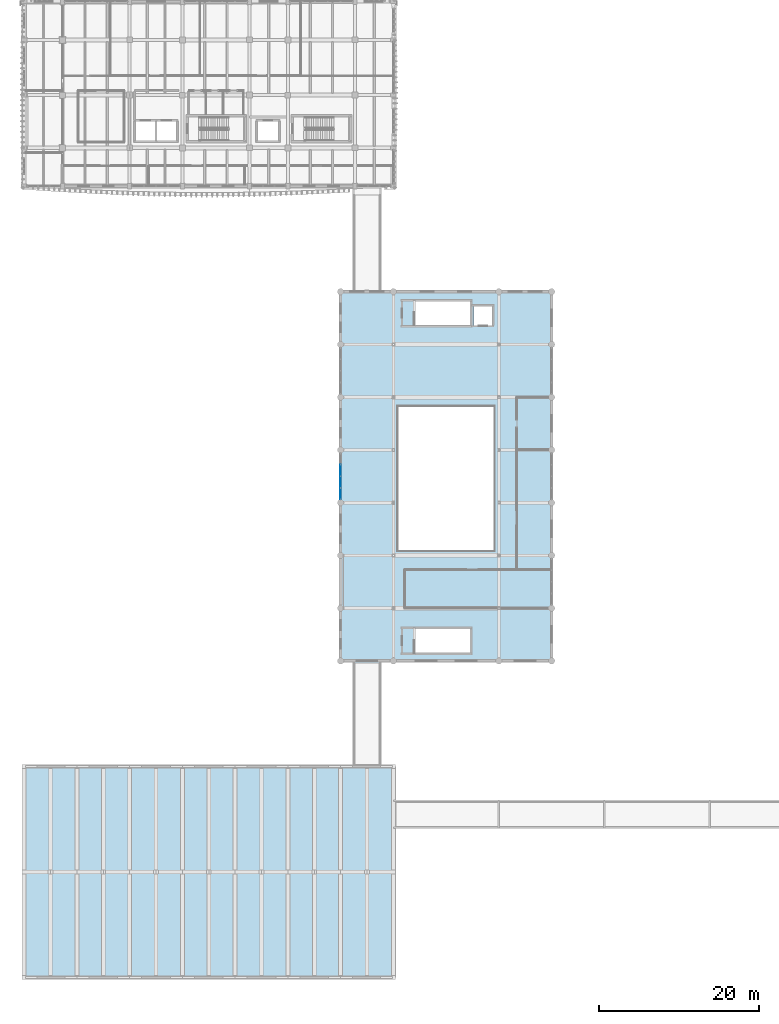
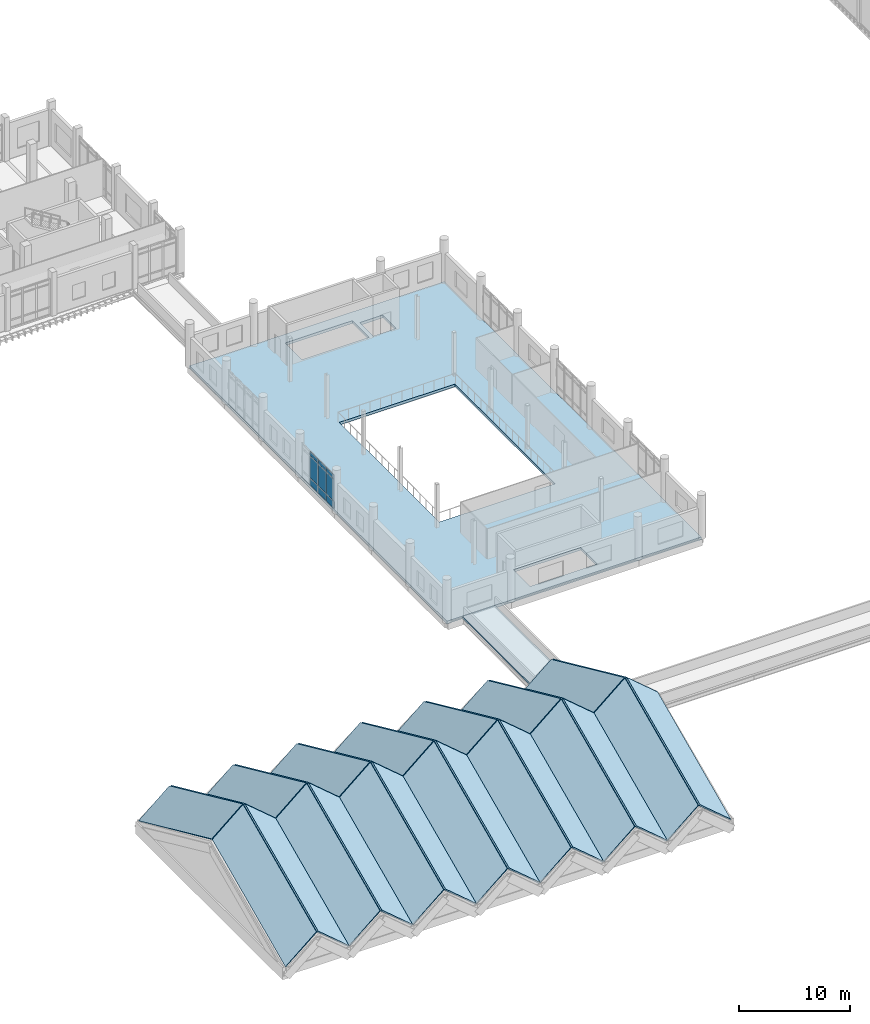
# One storey, part 33 of 76: 30 slabs, 9 plates, 1 element without a shape of its own.
"""IFC4 building model written with IfcOpenShell, lengths in metres."""

import ifcopenshell
import ifcopenshell.guid

model = None  # the IFC model being written
_history = None  # IfcOwnerHistory: only IFC2X3 demands one
_inside = {}  # id of a spatial element -> (the spatial element, [elements in it])
_under = {}  # id of a project, library or spatial element -> (it, [spatial elements below it])
_declared = {}  # id of a project -> (the project, [libraries it declares])
_typed = {}  # id of a type object -> (the type object, [elements of that type])
_made_of = {}  # id of a material, layer set ... -> (it, [elements and type objects made of it])


def new_model(schema):
    """Start an empty IFC model of exactly this schema.

    Asked for "IFC4X3", IfcOpenShell would pick the latest addendum, in which some entities
    have other attributes; the version numbers below select the first issue.
    IFC2X3 requires an IfcOwnerHistory on every rooted entity: one is made here for all.
    """
    global model, _history
    if schema == "IFC4X3":
        model = ifcopenshell.file(schema_version=(4, 3, 0, 0))
    else:
        model = ifcopenshell.file(schema=schema)
    _inside.clear()
    _under.clear()
    _declared.clear()
    _typed.clear()
    _made_of.clear()
    _history = None
    if model.schema == "IFC2X3":
        org = make("IfcOrganization", Name="unknown")
        user = make(
            "IfcPersonAndOrganization",
            ThePerson=make("IfcPerson", FamilyName="unknown"),
            TheOrganization=org,
        )
        app = make(
            "IfcApplication",
            ApplicationDeveloper=org,
            Version="unknown",
            ApplicationFullName="unknown",
            ApplicationIdentifier="unknown",
        )
        _history = make(
            "IfcOwnerHistory",
            OwningUser=user,
            OwningApplication=app,
            ChangeAction="ADDED",
            CreationDate=0,
        )
    return model


def make(cls, **values):
    """One entity of the class cls with the attributes given. An attribute that is None is left unset."""
    return model.create_entity(
        cls, **{name: value for name, value in values.items() if value is not None}
    )


def rooted(cls, **values):
    """An entity with a GlobalId (a new one), such as an element, a storey or a relation."""
    return make(cls, GlobalId=ifcopenshell.guid.new(), OwnerHistory=_history, **values)


def si_unit(unit_type, name, prefix=None):
    """IfcSIUnit, for example si_unit("LENGTHUNIT", "METRE", prefix="MILLI")."""
    return make("IfcSIUnit", UnitType=unit_type, Prefix=prefix, Name=name)


def assignment(units):
    """IfcUnitAssignment: the units of a project."""
    return None if units is None else make("IfcUnitAssignment", Units=units)


def point(xyz):
    """IfcCartesianPoint."""
    return None if xyz is None else make("IfcCartesianPoint", Coordinates=xyz)


def direction(xyz):
    """IfcDirection."""
    return None if xyz is None else make("IfcDirection", DirectionRatios=xyz)


def frame(location, z_axis=None, x_axis=None):
    """IfcAxis2Placement3D, a coordinate frame: its origin and axes. An axis left out is left unset."""
    return make(
        "IfcAxis2Placement3D",
        Location=point(location),
        Axis=direction(z_axis),
        RefDirection=direction(x_axis),
    )


def frame_2d(location, x_axis=None):
    """IfcAxis2Placement2D, a coordinate frame in the plane: its origin and x axis."""
    return make(
        "IfcAxis2Placement2D", Location=point(location), RefDirection=direction(x_axis)
    )


def origin():
    """The frame at (0, 0, 0) with its axes left unset."""
    return frame((0.0, 0.0, 0.0))


def origin_2d():
    """The frame at (0, 0) in the plane with its x axis left unset."""
    return frame_2d((0.0, 0.0))


def place(relative_to, where):
    """IfcLocalPlacement: puts the frame where relative to a parent placement (None: the world)."""
    return make(
        "IfcLocalPlacement", PlacementRelTo=relative_to, RelativePlacement=where
    )


def context(
    kind, dimensions, precision=None, world=None, true_north=None, identifier=None
):
    """IfcGeometricRepresentationContext, for example the 3D "Model" context."""
    return make(
        "IfcGeometricRepresentationContext",
        ContextIdentifier=identifier,
        ContextType=kind,
        CoordinateSpaceDimension=dimensions,
        Precision=precision,
        WorldCoordinateSystem=world,
        TrueNorth=true_north,
    )


def subcontext(parent, identifier, kind, view, scale=None):
    """IfcGeometricRepresentationSubContext, for example "Body" below "Model"."""
    return make(
        "IfcGeometricRepresentationSubContext",
        ContextIdentifier=identifier,
        ContextType=kind,
        ParentContext=parent,
        TargetScale=scale,
        TargetView=view,
    )


def project(units=None, contexts=None):
    """IfcProject with its units and contexts."""
    return rooted(
        "IfcProject",
        Name="project",
        RepresentationContexts=contexts,
        UnitsInContext=assignment(units),
    )


def spatial(cls, under=None, at=None, **own):
    """A site, building, storey or space (cls), placed at a placement, below another one or the project."""
    s = rooted(cls, ObjectPlacement=at, **own)
    if under is not None:
        _under.setdefault(under.id(), (under, []))[1].append(s)
    return s


def polyline(points):
    """IfcPolyline through the points."""
    return make("IfcPolyline", Points=[point(p) for p in points])


def profile(cls, at=None, kind="AREA", **sizes):
    """A parametric profile (cls). Its sizes go by their IFC names, for example OverallWidth=200.0."""
    return make(cls, ProfileType=kind, Position=at, **sizes)


def rectangle(**sizes):
    """IfcRectangleProfileDef."""
    return profile("IfcRectangleProfileDef", **sizes)


def outline(outer, holes=None, kind="AREA"):
    """IfcArbitraryClosedProfileDef: a profile drawn as a closed curve; with holes, ...WithVoids."""
    if holes is None:
        return make("IfcArbitraryClosedProfileDef", ProfileType=kind, OuterCurve=outer)
    return make(
        "IfcArbitraryProfileDefWithVoids",
        ProfileType=kind,
        OuterCurve=outer,
        InnerCurves=holes,
    )


def extrude(swept, where, along, depth):
    """IfcExtrudedAreaSolid: the profile swept, set in the frame where, extruded along a direction by depth."""
    return make(
        "IfcExtrudedAreaSolid",
        SweptArea=swept,
        Position=where,
        ExtrudedDirection=direction(along),
        Depth=depth,
    )


def shape(context_of_items, identifier, shape_type, items):
    """IfcShapeRepresentation: the items that make up one representation, for example the "Body"."""
    return make(
        "IfcShapeRepresentation",
        ContextOfItems=context_of_items,
        RepresentationIdentifier=identifier,
        RepresentationType=shape_type,
        Items=items,
    )


def material(Name=None, Category=None):
    """IfcMaterial."""
    return make("IfcMaterial", Name=Name, Category=Category)


def layer(
    of_material, thickness, ventilated=None, Name=None, Category=None, Priority=None
):
    """IfcMaterialLayer: one layer of a wall or slab, of a material (None: an air gap)."""
    return make(
        "IfcMaterialLayer",
        Material=of_material,
        LayerThickness=thickness,
        IsVentilated=ventilated,
        Name=Name,
        Category=Category,
        Priority=Priority,
    )


def layer_set(layers, Name=None):
    """IfcMaterialLayerSet."""
    return make("IfcMaterialLayerSet", MaterialLayers=layers, LayerSetName=Name)


def made_of(thing, what):
    """Note that an element or type object is made of a material, layer set ...; save() writes the relation."""
    if what is not None:
        _made_of.setdefault(what.id(), (what, []))[1].append(thing)
    return thing


def type_object(cls, material=None, **own):
    """A type object (cls), such as IfcWallType, which elements share."""
    return made_of(rooted(cls, **own), material)


def element(
    cls,
    number,
    at=None,
    inside=None,
    cuts=None,
    type_object=None,
    material=None,
    context=None,
    identifier="Body",
    shape_type=None,
    held_by="IfcProductDefinitionShape",
    body=None,
    shapes=None,
    **own,
):
    """One element of the class cls, such as IfcWall. Its Tag is "e" and its number.

    at: its placement. inside: the storey or other place that contains it. cuts: it is an
    opening in that element (IfcRelVoidsElement). A single representation is given by context,
    identifier, shape_type and body (its items); several are given by shapes. held_by: the class
    of the entity that holds the representations. save() writes the other relations.
    """
    e = rooted(cls, Tag="e%d" % number, ObjectPlacement=at, **own)
    if body is not None:
        shapes = [shape(context, identifier, shape_type, body)]
    if shapes is not None:
        e.Representation = make(held_by, Representations=shapes)
    if inside is not None:
        _inside.setdefault(inside.id(), (inside, []))[1].append(e)
    if cuts is not None:
        rooted(
            "IfcRelVoidsElement", RelatingBuildingElement=cuts, RelatedOpeningElement=e
        )
    if type_object is not None:
        _typed.setdefault(type_object.id(), (type_object, []))[1].append(e)
    return made_of(e, material)


def aggregate(whole, parts):
    """IfcRelAggregates: a whole, such as a stair, and the parts it consists of."""
    return rooted("IfcRelAggregates", RelatingObject=whole, RelatedObjects=parts)


def save(model, path):
    """Write the relations noted so far, then the file.

    IfcRelAggregates (storeys below a building ...), IfcRelContainedInSpatialStructure (elements
    in a storey), IfcRelDefinesByType, IfcRelAssociatesMaterial and IfcRelDeclares: one each for
    every whole, place, type object, material and project.
    """
    for whole, parts in _under.values():
        aggregate(whole, parts)
    for where, things in _inside.values():
        rooted(
            "IfcRelContainedInSpatialStructure",
            RelatedElements=things,
            RelatingStructure=where,
        )
    for kind, things in _typed.values():
        rooted("IfcRelDefinesByType", RelatedObjects=things, RelatingType=kind)
    for what, things in _made_of.values():
        rooted("IfcRelAssociatesMaterial", RelatedObjects=things, RelatingMaterial=what)
    for by, libraries in _declared.values():
        rooted("IfcRelDeclares", RelatingContext=by, RelatedDefinitions=libraries)
    model.write(path)


model = new_model("IFC4")

# Units and contexts
model_context = context("Model", 3, precision=1e-05, world=origin(), true_north=direction((0.0, 1.0)))
body_context = subcontext(model_context, "Body", "Model", "MODEL_VIEW")
ifc_project = project(units=[si_unit("LENGTHUNIT", "METRE"), si_unit("AREAUNIT", "SQUARE_METRE"), si_unit("VOLUMEUNIT", "CUBIC_METRE"), si_unit("PLANEANGLEUNIT", "RADIAN"), si_unit("MASSUNIT", "GRAM", prefix="KILO")], contexts=[model_context])

# Site, building, storey
site_placement = place(None, origin())
site = spatial("IfcSite", under=ifc_project, at=site_placement, CompositionType="ELEMENT")
building_placement = place(site_placement, origin())
building = spatial("IfcBuilding", under=site, at=building_placement, Name="Dornvale Research Institute", CompositionType="ELEMENT")
storey_placement = place(building_placement, frame((0.0, 0.0, 15.0)))
storey = spatial("IfcBuildingStorey", under=building, at=storey_placement, Name="L03", CompositionType="ELEMENT", Elevation=15.0)

# Curtain wall, plates
ifc_material_1 = material(Name="Low-E Argon Double Insulating Glazing Unit", Category="glass")
curtain_wall_type = type_object("IfcCurtainWallType", Name="UnitisedCurtainWall_V2_5810x3820", PredefinedType="USERDEFINED", material=ifc_material_1)
curtain_wall_placement = place(storey_placement, origin())
curtain_wall = element("IfcCurtainWall", 1, at=curtain_wall_placement, inside=storey, type_object=curtain_wall_type, Name="L03 V2 unitised curtain wall CW-03 #15", ObjectType="UNITISED CURTAIN WALL", PredefinedType="USERDEFINED")
ifc_material_2 = material(Name="Insulated Ceramic-Frit Spandrel Glass Panel", Category="glass")
ifc_layer_1 = layer(ifc_material_2, 0.0419921875)
ifc_layer_set_1 = layer_set([ifc_layer_1], Name="Insulated Ceramic-Frit Spandrel Glass Panel")
plate_type_1 = type_object("IfcPlateType", Name="CurtainPanel_Spandrel_42", PredefinedType="CURTAIN_PANEL", material=ifc_layer_set_1)
plate_1_placement = place(storey_placement, frame((39.60009765625, 60.53759765625, 0.06494140625), z_axis=(0.0, 0.0, 1.0), x_axis=(0.0, 1.0, 0.0)))
plate_1 = element("IfcPlate", 2, at=plate_1_placement, type_object=plate_type_1, Name="CW-03 panel 1.1", PredefinedType="CURTAIN_PANEL", context=body_context, shape_type="SweptSolid", body=[
    extrude(rectangle(XDim=1.35498046875, YDim=0.0419921875, at=origin_2d()), origin(), (0.0, 0.0, 1.0), 0.75244140625),
])
plate_2_placement = place(storey_placement, frame((39.60009765625, 61.9736328125, 0.06494140625), z_axis=(0.0, 0.0, 1.0), x_axis=(0.0, 1.0, 0.0)))
plate_2 = element("IfcPlate", 3, at=plate_2_placement, type_object=plate_type_1, Name="CW-03 panel 2.1", PredefinedType="CURTAIN_PANEL", context=body_context, shape_type="SweptSolid", body=[
    extrude(rectangle(XDim=1.387451171875, YDim=0.0419921875, at=origin_2d()), origin(), (0.0, 0.0, 1.0), 0.75244140625),
])
plate_3_placement = place(storey_placement, frame((39.60009765625, 63.42626953125, 0.06494140625), z_axis=(0.0, 0.0, 1.0), x_axis=(0.0, 1.0, 0.0)))
plate_3 = element("IfcPlate", 4, at=plate_3_placement, type_object=plate_type_1, Name="CW-03 panel 3.1", PredefinedType="CURTAIN_PANEL", context=body_context, shape_type="SweptSolid", body=[
    extrude(rectangle(XDim=1.387451171875, YDim=0.0419921875, at=origin_2d()), origin(), (0.0, 0.0, 1.0), 0.75244140625),
])
ifc_material_3 = material(Name="Low-E Argon Double Insulating Glazing Unit", Category="glass")
ifc_layer_2 = layer(ifc_material_3, 0.028076171875)
ifc_layer_set_2 = layer_set([ifc_layer_2], Name="Low-E Argon Double Insulating Glazing Unit")
plate_type_2 = type_object("IfcPlateType", Name="CurtainPanel_Vision_28", PredefinedType="CURTAIN_PANEL", material=ifc_layer_set_2)
plate_4_placement = place(storey_placement, frame((39.60009765625, 60.53759765625, 0.882568359375), z_axis=(0.0, 0.0, 1.0), x_axis=(0.0, 1.0, 0.0)))
plate_4 = element("IfcPlate", 5, at=plate_4_placement, type_object=plate_type_2, Name="CW-03 panel 1.2", PredefinedType="CURTAIN_PANEL", context=body_context, shape_type="SweptSolid", body=[
    extrude(rectangle(XDim=1.35498046875, YDim=0.028076171875, at=origin_2d()), origin(), (0.0, 0.0, 1.0), 2.35498046875),
])
plate_5_placement = place(storey_placement, frame((39.60009765625, 60.53759765625, 3.302734375), z_axis=(0.0, 0.0, 1.0), x_axis=(0.0, 1.0, 0.0)))
plate_5 = element("IfcPlate", 6, at=plate_5_placement, type_object=plate_type_2, Name="CW-03 panel 1.3", PredefinedType="CURTAIN_PANEL", context=body_context, shape_type="SweptSolid", body=[
    extrude(rectangle(XDim=1.35498046875, YDim=0.028076171875, at=origin_2d()), origin(), (0.0, 0.0, 1.0), 0.452392578125),
])
plate_6_placement = place(storey_placement, frame((39.60009765625, 61.9736328125, 0.882568359375), z_axis=(0.0, 0.0, 1.0), x_axis=(0.0, 1.0, 0.0)))
plate_6 = element("IfcPlate", 7, at=plate_6_placement, type_object=plate_type_2, Name="CW-03 panel 2.2", PredefinedType="CURTAIN_PANEL", context=body_context, shape_type="SweptSolid", body=[
    extrude(rectangle(XDim=1.387451171875, YDim=0.028076171875, at=origin_2d()), origin(), (0.0, 0.0, 1.0), 2.35498046875),
])
plate_7_placement = place(storey_placement, frame((39.60009765625, 61.9736328125, 3.302734375), z_axis=(0.0, 0.0, 1.0), x_axis=(0.0, 1.0, 0.0)))
plate_7 = element("IfcPlate", 8, at=plate_7_placement, type_object=plate_type_2, Name="CW-03 panel 2.3", PredefinedType="CURTAIN_PANEL", context=body_context, shape_type="SweptSolid", body=[
    extrude(rectangle(XDim=1.387451171875, YDim=0.028076171875, at=origin_2d()), origin(), (0.0, 0.0, 1.0), 0.452392578125),
])
plate_8_placement = place(storey_placement, frame((39.60009765625, 63.42626953125, 0.882568359375), z_axis=(0.0, 0.0, 1.0), x_axis=(0.0, 1.0, 0.0)))
plate_8 = element("IfcPlate", 9, at=plate_8_placement, type_object=plate_type_2, Name="CW-03 panel 3.2", PredefinedType="CURTAIN_PANEL", context=body_context, shape_type="SweptSolid", body=[
    extrude(rectangle(XDim=1.387451171875, YDim=0.028076171875, at=origin_2d()), origin(), (0.0, 0.0, 1.0), 2.35498046875),
])
plate_9_placement = place(storey_placement, frame((39.60009765625, 63.42626953125, 3.302734375), z_axis=(0.0, 0.0, 1.0), x_axis=(0.0, 1.0, 0.0)))
plate_9 = element("IfcPlate", 10, at=plate_9_placement, type_object=plate_type_2, Name="CW-03 panel 3.3", PredefinedType="CURTAIN_PANEL", context=body_context, shape_type="SweptSolid", body=[
    extrude(rectangle(XDim=1.387451171875, YDim=0.028076171875, at=origin_2d()), origin(), (0.0, 0.0, 1.0), 0.452392578125),
])
aggregate(curtain_wall, [plate_1, plate_4, plate_5, plate_2, plate_6, plate_7, plate_3, plate_8, plate_9])

# Slabs
ifc_material_4 = material(Name="Concrete f'c 45 MPa (C35/45)", Category="concrete")
ifc_layer_3 = layer(ifc_material_4, 0.300048828125)
ifc_layer_set_3 = layer_set([ifc_layer_3], Name="Concrete f'c 45 MPa (C35/45)")
slab_type_1 = type_object("IfcSlabType", Name="FloorSlab_DryLab_300", PredefinedType="FLOOR", material=ifc_layer_set_3)
slab_1_placement = place(storey_placement, frame((0.0, 0.0, -0.300048828125)))
element("IfcSlab", 11, at=slab_1_placement, inside=storey, type_object=slab_type_1, Name="L03 V2 structural slab", PredefinedType="FLOOR", context=body_context, shape_type="SweptSolid", body=[
    extrude(outline(polyline([(39.60009765625, 39.60009765625), (66.0, 39.60009765625), (66.0, 85.800048828125), (39.60009765625, 85.800048828125), (39.60009765625, 39.60009765625)]), holes=[polyline([(48.820068359375, 40.60009765625), (55.800048828125, 40.60009765625), (55.800048828125, 43.60009765625), (48.820068359375, 43.60009765625), (48.820068359375, 40.60009765625)]), polyline([(48.820068359375, 81.60009765625), (55.800048828125, 81.60009765625), (55.800048828125, 84.60009765625), (48.820068359375, 84.60009765625), (48.820068359375, 81.60009765625)]), polyline([(56.199951171875, 81.60009765625), (58.60009765625, 81.60009765625), (58.60009765625, 84.0), (56.199951171875, 84.0), (56.199951171875, 81.60009765625)]), polyline([(46.800048828125, 53.39990234375), (58.800048828125, 53.39990234375), (58.800048828125, 71.39990234375), (46.800048828125, 71.39990234375), (46.800048828125, 53.39990234375)])]), origin(), (0.0, 0.0, 1.0), 0.300048828125),
])
ifc_material_5 = material(Name="Concrete f'c 45 MPa (C35/45)", Category="concrete")
ifc_layer_4 = layer(ifc_material_5, 0.179931640625)
ifc_layer_set_4 = layer_set([ifc_layer_4], Name="Concrete f'c 45 MPa (C35/45)")
slab_type_2 = type_object("IfcSlabType", Name="RoofSlab_Bridge_180", PredefinedType="ROOF", material=ifc_layer_set_4)
slab_2_placement = place(storey_placement, frame((0.0, 0.0, -0.179931640625)))
element("IfcSlab", 12, at=slab_2_placement, inside=storey, type_object=slab_type_2, Name="L03 link bridge roof BR-2", PredefinedType="ROOF", context=body_context, shape_type="SweptSolid", body=[
    extrude(outline(polyline([(41.199951171875, 39.580078125), (44.60009765625, 39.580078125), (44.60009765625, 26.419921875), (41.199951171875, 26.419921875), (41.199951171875, 39.580078125)])), origin(), (0.0, 0.0, 1.0), 0.179931640625),
])
ifc_material_6 = material(Name="Concrete f'c 45 MPa (C35/45)", Category="concrete")
ifc_layer_5 = layer(ifc_material_6, 0.159912109375)
ifc_layer_set_5 = layer_set([ifc_layer_5], Name="Concrete f'c 45 MPa (C35/45)")
slab_type_3 = type_object("IfcSlabType", Name="RoofSlab_FoldedPlate_160", PredefinedType="ROOF", material=ifc_layer_set_5)
slab_3_placement = place(storey_placement, frame((0.0, 0.0, 0.0), z_axis=(-0.611306158236, -0.327478228177, 0.720460124485), x_axis=(0.762505658759, 0.0, 0.64698154561)))
element("IfcSlab", 13, at=slab_3_placement, inside=storey, type_object=slab_type_3, Name="V1 Lecture Theatre pleated folded-plate roof SW facet 1", PredefinedType="ROOF", context=body_context, shape_type="SweptSolid", body=[
    extrude(outline(polyline([(0.0, 0.0), (4.199187586469121, 0.0), (8.067808683900624, 13.922747337595444), (3.868621097431504, 13.922747337595444), (0.0, 0.0)])), origin(), (0.0, 0.0, -1.0), 0.159912109375),
])
slab_4_placement = place(storey_placement, frame((3.39794921875, 0.0, 2.716796875), z_axis=(0.611276966384, -0.327487558584, 0.720480651608), x_axis=(0.762529993666, 0.0, -0.646952864403)))
element("IfcSlab", 14, at=slab_4_placement, inside=storey, type_object=slab_type_3, Name="V1 Lecture Theatre pleated folded-plate roof SE facet 1", PredefinedType="ROOF", context=body_context, shape_type="SweptSolid", body=[
    extrude(outline(polyline([(0.0, 0.0), (4.199373748047852, -1.1102230246251565e-16), (0.330924149666973, 13.922794989756904), (-3.8684495983808787, 13.922794989756904), (0.0, 0.0)])), origin(), (0.0, 0.0, -1.0), 0.159912109375),
])
slab_5_placement = place(storey_placement, frame((0.0, 13.2451171875, 5.9794921875), z_axis=(-0.611304941538, 0.32748365407, 0.720458690535), x_axis=(0.762505658759, 0.0, 0.64698154561)))
element("IfcSlab", 15, at=slab_5_placement, inside=storey, type_object=slab_type_3, Name="V1 Lecture Theatre pleated folded-plate roof NW facet 1", PredefinedType="ROOF", context=body_context, shape_type="SweptSolid", body=[
    extrude(outline(polyline([(0.0, 0.0), (4.199187586469121, -1.1102230246251565e-16), (0.33056648903761676, 13.922516659425364), (-3.868621097431504, 13.922516659425364), (0.0, 0.0)])), origin(), (0.0, 0.0, -1.0), 0.159912109375),
])
slab_6_placement = place(storey_placement, frame((3.39794921875, 13.2451171875, 8.6962890625), z_axis=(0.611275749675, 0.327492984594, 0.720479217536), x_axis=(0.762529993666, 0.0, -0.646952864403)))
element("IfcSlab", 16, at=slab_6_placement, inside=storey, type_object=slab_type_3, Name="V1 Lecture Theatre pleated folded-plate roof NE facet 1", PredefinedType="ROOF", context=body_context, shape_type="SweptSolid", body=[
    extrude(outline(polyline([(0.0, 0.0), (4.199373748047852, 0.0), (8.06782334642873, 13.922564312376357), (3.8684495983808787, 13.922564312376357), (0.0, 0.0)])), origin(), (0.0, 0.0, -1.0), 0.159912109375),
])
slab_7_placement = place(storey_placement, frame((6.60009765625, 0.0, 0.0), z_axis=(-0.611306158236, -0.327478228177, 0.720460124485), x_axis=(0.762505658759, 0.0, 0.64698154561)))
element("IfcSlab", 17, at=slab_7_placement, inside=storey, type_object=slab_type_3, Name="V1 Lecture Theatre pleated folded-plate roof SW facet 2", PredefinedType="ROOF", context=body_context, shape_type="SweptSolid", body=[
    extrude(outline(polyline([(0.0, 0.0), (4.199187586469121, 0.0), (8.067808683900624, 13.922747337595444), (3.868621097431504, 13.922747337595444), (0.0, 0.0)])), origin(), (0.0, 0.0, -1.0), 0.159912109375),
])
slab_8_placement = place(storey_placement, frame((9.998046875, 0.0, 2.716796875), z_axis=(0.611306158236, -0.327478228177, 0.720460124485), x_axis=(0.762505658759, 0.0, -0.64698154561)))
element("IfcSlab", 18, at=slab_8_placement, inside=storey, type_object=slab_type_3, Name="V1 Lecture Theatre pleated folded-plate roof SE facet 2", PredefinedType="ROOF", context=body_context, shape_type="SweptSolid", body=[
    extrude(outline(polyline([(0.0, 0.0), (4.199187586469121, 0.0), (0.33056648903761676, 13.922747337595444), (-3.868621097431504, 13.922747337595444), (0.0, 0.0)])), origin(), (0.0, 0.0, -1.0), 0.159912109375),
])
slab_9_placement = place(storey_placement, frame((6.60009765625, 13.2451171875, 5.9794921875), z_axis=(-0.611304941538, 0.32748365407, 0.720458690535), x_axis=(0.762505658759, 0.0, 0.64698154561)))
element("IfcSlab", 19, at=slab_9_placement, inside=storey, type_object=slab_type_3, Name="V1 Lecture Theatre pleated folded-plate roof NW facet 2", PredefinedType="ROOF", context=body_context, shape_type="SweptSolid", body=[
    extrude(outline(polyline([(0.0, 0.0), (4.199187586469121, -1.1102230246251565e-16), (0.33056648903761676, 13.922516659425364), (-3.868621097431504, 13.922516659425364), (0.0, 0.0)])), origin(), (0.0, 0.0, -1.0), 0.159912109375),
])
slab_10_placement = place(storey_placement, frame((9.998046875, 13.2451171875, 8.6962890625), z_axis=(0.611304941538, 0.32748365407, 0.720458690535), x_axis=(0.762505658759, 0.0, -0.64698154561)))
element("IfcSlab", 20, at=slab_10_placement, inside=storey, type_object=slab_type_3, Name="V1 Lecture Theatre pleated folded-plate roof NE facet 2", PredefinedType="ROOF", context=body_context, shape_type="SweptSolid", body=[
    extrude(outline(polyline([(0.0, 0.0), (4.199187586469121, 1.1102230246251565e-16), (8.067808683900624, 13.922516659425364), (3.868621097431504, 13.922516659425364), (0.0, 0.0)])), origin(), (0.0, 0.0, -1.0), 0.159912109375),
])
slab_11_placement = place(storey_placement, frame((13.199951171875, 0.0, 0.0), z_axis=(-0.611276966384, -0.327487558584, 0.720480651608), x_axis=(0.762529993666, 0.0, 0.646952864403)))
element("IfcSlab", 21, at=slab_11_placement, inside=storey, type_object=slab_type_3, Name="V1 Lecture Theatre pleated folded-plate roof SW facet 3", PredefinedType="ROOF", context=body_context, shape_type="SweptSolid", body=[
    extrude(outline(polyline([(0.0, 0.0), (4.199373748047852, 1.1102230246251565e-16), (8.06782334642873, 13.922794989756904), (3.8684495983808787, 13.922794989756904), (0.0, 0.0)])), origin(), (0.0, 0.0, -1.0), 0.159912109375),
])
slab_12_placement = place(storey_placement, frame((16.597900390625, 0.0, 2.716796875), z_axis=(0.611276966384, -0.327487558584, 0.720480651608), x_axis=(0.762529993666, 0.0, -0.646952864403)))
element("IfcSlab", 22, at=slab_12_placement, inside=storey, type_object=slab_type_3, Name="V1 Lecture Theatre pleated folded-plate roof SE facet 3", PredefinedType="ROOF", context=body_context, shape_type="SweptSolid", body=[
    extrude(outline(polyline([(0.0, 0.0), (4.199373748047852, -1.1102230246251565e-16), (0.330924149666973, 13.922794989756904), (-3.8684495983808787, 13.922794989756904), (0.0, 0.0)])), origin(), (0.0, 0.0, -1.0), 0.159912109375),
])
slab_13_placement = place(storey_placement, frame((13.199951171875, 13.2451171875, 5.9794921875), z_axis=(-0.611275749675, 0.327492984594, 0.720479217536), x_axis=(0.762529993666, 0.0, 0.646952864403)))
element("IfcSlab", 23, at=slab_13_placement, inside=storey, type_object=slab_type_3, Name="V1 Lecture Theatre pleated folded-plate roof NW facet 3", PredefinedType="ROOF", context=body_context, shape_type="SweptSolid", body=[
    extrude(outline(polyline([(0.0, 0.0), (4.199373748047852, 0.0), (0.330924149666973, 13.922564312376357), (-3.8684495983808787, 13.922564312376357), (0.0, 0.0)])), origin(), (0.0, 0.0, -1.0), 0.159912109375),
])
slab_14_placement = place(storey_placement, frame((16.597900390625, 13.2451171875, 8.6962890625), z_axis=(0.611275749675, 0.327492984594, 0.720479217536), x_axis=(0.762529993666, 0.0, -0.646952864403)))
element("IfcSlab", 24, at=slab_14_placement, inside=storey, type_object=slab_type_3, Name="V1 Lecture Theatre pleated folded-plate roof NE facet 3", PredefinedType="ROOF", context=body_context, shape_type="SweptSolid", body=[
    extrude(outline(polyline([(0.0, 0.0), (4.199373748047852, 0.0), (8.06782334642873, 13.922564312376357), (3.8684495983808787, 13.922564312376357), (0.0, 0.0)])), origin(), (0.0, 0.0, -1.0), 0.159912109375),
])
slab_15_placement = place(storey_placement, frame((19.800048828125, 0.0, 0.0), z_axis=(-0.611306158236, -0.327478228177, 0.720460124485), x_axis=(0.762505658759, 0.0, 0.64698154561)))
element("IfcSlab", 25, at=slab_15_placement, inside=storey, type_object=slab_type_3, Name="V1 Lecture Theatre pleated folded-plate roof SW facet 4", PredefinedType="ROOF", context=body_context, shape_type="SweptSolid", body=[
    extrude(outline(polyline([(0.0, 0.0), (4.199187586469121, 0.0), (8.067808683900624, 13.922747337595444), (3.868621097431504, 13.922747337595444), (0.0, 0.0)])), origin(), (0.0, 0.0, -1.0), 0.159912109375),
])
slab_16_placement = place(storey_placement, frame((23.197998046875, 0.0, 2.716796875), z_axis=(0.611306158236, -0.327478228177, 0.720460124485), x_axis=(0.762505658759, 0.0, -0.64698154561)))
element("IfcSlab", 26, at=slab_16_placement, inside=storey, type_object=slab_type_3, Name="V1 Lecture Theatre pleated folded-plate roof SE facet 4", PredefinedType="ROOF", context=body_context, shape_type="SweptSolid", body=[
    extrude(outline(polyline([(0.0, 0.0), (4.199187586469121, 0.0), (0.33056648903761676, 13.922747337595444), (-3.868621097431504, 13.922747337595444), (0.0, 0.0)])), origin(), (0.0, 0.0, -1.0), 0.159912109375),
])
slab_17_placement = place(storey_placement, frame((19.800048828125, 13.2451171875, 5.9794921875), z_axis=(-0.611304941538, 0.32748365407, 0.720458690535), x_axis=(0.762505658759, 0.0, 0.64698154561)))
element("IfcSlab", 27, at=slab_17_placement, inside=storey, type_object=slab_type_3, Name="V1 Lecture Theatre pleated folded-plate roof NW facet 4", PredefinedType="ROOF", context=body_context, shape_type="SweptSolid", body=[
    extrude(outline(polyline([(0.0, 0.0), (4.199187586469121, -1.1102230246251565e-16), (0.33056648903761676, 13.922516659425364), (-3.868621097431504, 13.922516659425364), (0.0, 0.0)])), origin(), (0.0, 0.0, -1.0), 0.159912109375),
])
slab_18_placement = place(storey_placement, frame((23.197998046875, 13.2451171875, 8.6962890625), z_axis=(0.611304941538, 0.32748365407, 0.720458690535), x_axis=(0.762505658759, 0.0, -0.64698154561)))
element("IfcSlab", 28, at=slab_18_placement, inside=storey, type_object=slab_type_3, Name="V1 Lecture Theatre pleated folded-plate roof NE facet 4", PredefinedType="ROOF", context=body_context, shape_type="SweptSolid", body=[
    extrude(outline(polyline([(0.0, 0.0), (4.199187586469121, 1.1102230246251565e-16), (8.067808683900624, 13.922516659425364), (3.868621097431504, 13.922516659425364), (0.0, 0.0)])), origin(), (0.0, 0.0, -1.0), 0.159912109375),
])
slab_19_placement = place(storey_placement, frame((26.39990234375, 0.0, 0.0), z_axis=(-0.611276966384, -0.327487558584, 0.720480651608), x_axis=(0.762529993666, 0.0, 0.646952864403)))
element("IfcSlab", 29, at=slab_19_placement, inside=storey, type_object=slab_type_3, Name="V1 Lecture Theatre pleated folded-plate roof SW facet 5", PredefinedType="ROOF", context=body_context, shape_type="SweptSolid", body=[
    extrude(outline(polyline([(0.0, 0.0), (4.199373748047852, 1.1102230246251565e-16), (8.06782334642873, 13.922794989756904), (3.8684495983808787, 13.922794989756904), (0.0, 0.0)])), origin(), (0.0, 0.0, -1.0), 0.159912109375),
])
slab_20_placement = place(storey_placement, frame((29.798095703125, 0.0, 2.716796875), z_axis=(0.611306158236, -0.327478228177, 0.720460124485), x_axis=(0.762505658759, 0.0, -0.64698154561)))
element("IfcSlab", 30, at=slab_20_placement, inside=storey, type_object=slab_type_3, Name="V1 Lecture Theatre pleated folded-plate roof SE facet 5", PredefinedType="ROOF", context=body_context, shape_type="SweptSolid", body=[
    extrude(outline(polyline([(0.0, 0.0), (4.199187586469121, 0.0), (0.33056648903761676, 13.922747337595444), (-3.868621097431504, 13.922747337595444), (0.0, 0.0)])), origin(), (0.0, 0.0, -1.0), 0.159912109375),
])
slab_21_placement = place(storey_placement, frame((26.39990234375, 13.2451171875, 5.9794921875), z_axis=(-0.611275749675, 0.327492984594, 0.720479217536), x_axis=(0.762529993666, 0.0, 0.646952864403)))
element("IfcSlab", 31, at=slab_21_placement, inside=storey, type_object=slab_type_3, Name="V1 Lecture Theatre pleated folded-plate roof NW facet 5", PredefinedType="ROOF", context=body_context, shape_type="SweptSolid", body=[
    extrude(outline(polyline([(0.0, 0.0), (4.199373748047852, 0.0), (0.330924149666973, 13.922564312376357), (-3.8684495983808787, 13.922564312376357), (0.0, 0.0)])), origin(), (0.0, 0.0, -1.0), 0.159912109375),
])
slab_22_placement = place(storey_placement, frame((29.798095703125, 13.2451171875, 8.6962890625), z_axis=(0.611304941538, 0.32748365407, 0.720458690535), x_axis=(0.762505658759, 0.0, -0.64698154561)))
element("IfcSlab", 32, at=slab_22_placement, inside=storey, type_object=slab_type_3, Name="V1 Lecture Theatre pleated folded-plate roof NE facet 5", PredefinedType="ROOF", context=body_context, shape_type="SweptSolid", body=[
    extrude(outline(polyline([(0.0, 0.0), (4.199187586469121, 1.1102230246251565e-16), (8.067808683900624, 13.922516659425364), (3.868621097431504, 13.922516659425364), (0.0, 0.0)])), origin(), (0.0, 0.0, -1.0), 0.159912109375),
])
slab_23_placement = place(storey_placement, frame((33.0, 0.0, 0.0), z_axis=(-0.611306158236, -0.327478228177, 0.720460124485), x_axis=(0.762505658759, 0.0, 0.64698154561)))
element("IfcSlab", 33, at=slab_23_placement, inside=storey, type_object=slab_type_3, Name="V1 Lecture Theatre pleated folded-plate roof SW facet 6", PredefinedType="ROOF", context=body_context, shape_type="SweptSolid", body=[
    extrude(outline(polyline([(0.0, 0.0), (4.199187586469121, 0.0), (8.067808683900624, 13.922747337595444), (3.868621097431504, 13.922747337595444), (0.0, 0.0)])), origin(), (0.0, 0.0, -1.0), 0.159912109375),
])
slab_24_placement = place(storey_placement, frame((36.39794921875, 0.0, 2.716796875), z_axis=(0.611276966384, -0.327487558584, 0.720480651608), x_axis=(0.762529993666, 0.0, -0.646952864403)))
element("IfcSlab", 34, at=slab_24_placement, inside=storey, type_object=slab_type_3, Name="V1 Lecture Theatre pleated folded-plate roof SE facet 6", PredefinedType="ROOF", context=body_context, shape_type="SweptSolid", body=[
    extrude(outline(polyline([(0.0, 0.0), (4.199373748047852, -1.1102230246251565e-16), (0.330924149666973, 13.922794989756904), (-3.8684495983808787, 13.922794989756904), (0.0, 0.0)])), origin(), (0.0, 0.0, -1.0), 0.159912109375),
])
slab_25_placement = place(storey_placement, frame((33.0, 13.2451171875, 5.9794921875), z_axis=(-0.611304941538, 0.32748365407, 0.720458690535), x_axis=(0.762505658759, 0.0, 0.64698154561)))
element("IfcSlab", 35, at=slab_25_placement, inside=storey, type_object=slab_type_3, Name="V1 Lecture Theatre pleated folded-plate roof NW facet 6", PredefinedType="ROOF", context=body_context, shape_type="SweptSolid", body=[
    extrude(outline(polyline([(0.0, 0.0), (4.199187586469121, -1.1102230246251565e-16), (0.33056648903761676, 13.922516659425364), (-3.868621097431504, 13.922516659425364), (0.0, 0.0)])), origin(), (0.0, 0.0, -1.0), 0.159912109375),
])
slab_26_placement = place(storey_placement, frame((36.39794921875, 13.2451171875, 8.6962890625), z_axis=(0.611275749675, 0.327492984594, 0.720479217536), x_axis=(0.762529993666, 0.0, -0.646952864403)))
element("IfcSlab", 36, at=slab_26_placement, inside=storey, type_object=slab_type_3, Name="V1 Lecture Theatre pleated folded-plate roof NE facet 6", PredefinedType="ROOF", context=body_context, shape_type="SweptSolid", body=[
    extrude(outline(polyline([(0.0, 0.0), (4.199373748047852, 0.0), (8.06782334642873, 13.922564312376357), (3.8684495983808787, 13.922564312376357), (0.0, 0.0)])), origin(), (0.0, 0.0, -1.0), 0.159912109375),
])
slab_27_placement = place(storey_placement, frame((39.60009765625, 0.0, 0.0), z_axis=(-0.611306158236, -0.327478228177, 0.720460124485), x_axis=(0.762505658759, 0.0, 0.64698154561)))
element("IfcSlab", 37, at=slab_27_placement, inside=storey, type_object=slab_type_3, Name="V1 Lecture Theatre pleated folded-plate roof SW facet 7", PredefinedType="ROOF", context=body_context, shape_type="SweptSolid", body=[
    extrude(outline(polyline([(0.0, 0.0), (4.199187586469121, 0.0), (8.067808683900624, 13.922747337595444), (3.868621097431504, 13.922747337595444), (0.0, 0.0)])), origin(), (0.0, 0.0, -1.0), 0.159912109375),
])
slab_28_placement = place(storey_placement, frame((42.998046875, 0.0, 2.716796875), z_axis=(0.611306158236, -0.327478228177, 0.720460124485), x_axis=(0.762505658759, 0.0, -0.64698154561)))
element("IfcSlab", 38, at=slab_28_placement, inside=storey, type_object=slab_type_3, Name="V1 Lecture Theatre pleated folded-plate roof SE facet 7", PredefinedType="ROOF", context=body_context, shape_type="SweptSolid", body=[
    extrude(outline(polyline([(0.0, 0.0), (4.199187586469121, 0.0), (0.33056648903761676, 13.922747337595444), (-3.868621097431504, 13.922747337595444), (0.0, 0.0)])), origin(), (0.0, 0.0, -1.0), 0.159912109375),
])
slab_29_placement = place(storey_placement, frame((39.60009765625, 13.2451171875, 5.9794921875), z_axis=(-0.611304941538, 0.32748365407, 0.720458690535), x_axis=(0.762505658759, 0.0, 0.64698154561)))
element("IfcSlab", 39, at=slab_29_placement, inside=storey, type_object=slab_type_3, Name="V1 Lecture Theatre pleated folded-plate roof NW facet 7", PredefinedType="ROOF", context=body_context, shape_type="SweptSolid", body=[
    extrude(outline(polyline([(0.0, 0.0), (4.199187586469121, -1.1102230246251565e-16), (0.33056648903761676, 13.922516659425364), (-3.868621097431504, 13.922516659425364), (0.0, 0.0)])), origin(), (0.0, 0.0, -1.0), 0.159912109375),
])
slab_30_placement = place(storey_placement, frame((42.998046875, 13.2451171875, 8.6962890625), z_axis=(0.611304941538, 0.32748365407, 0.720458690535), x_axis=(0.762505658759, 0.0, -0.64698154561)))
element("IfcSlab", 40, at=slab_30_placement, inside=storey, type_object=slab_type_3, Name="V1 Lecture Theatre pleated folded-plate roof NE facet 7", PredefinedType="ROOF", context=body_context, shape_type="SweptSolid", body=[
    extrude(outline(polyline([(0.0, 0.0), (4.199187586469121, 1.1102230246251565e-16), (8.067808683900624, 13.922516659425364), (3.868621097431504, 13.922516659425364), (0.0, 0.0)])), origin(), (0.0, 0.0, -1.0), 0.159912109375),
])

save(model, "model.ifc")
